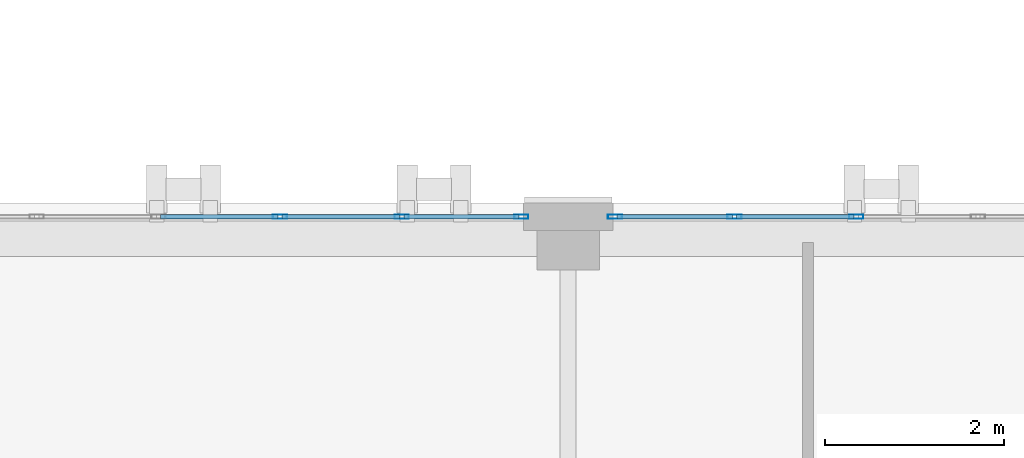
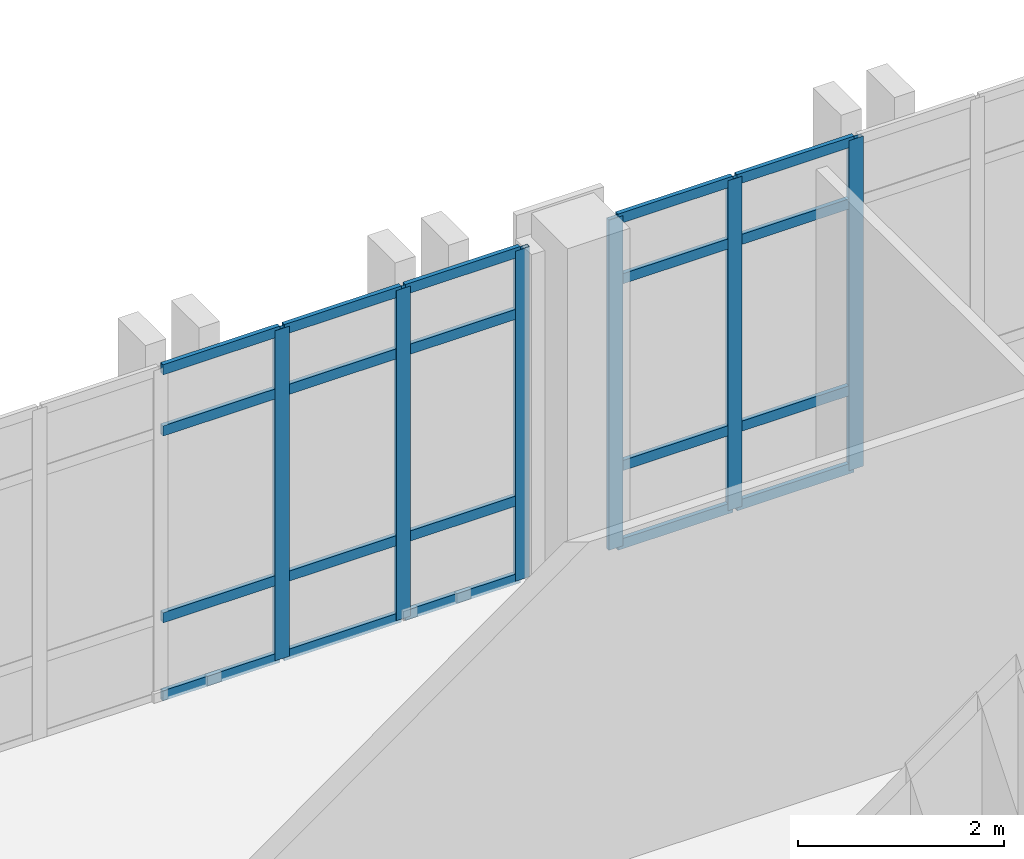
# One storey, part 124 of 193: 26 members, 2 elements without a shape of their own.
"""IFC4 building model written with IfcOpenShell, lengths in metres."""

from ifc_helpers import new_model, si_unit, direction, frame, origin, origin_2d, place, context, subcontext, project, spatial, hollow_rectangle, extrude, material, layer, layer_set, material_profile, profile_set, type_object, element, aggregate, save


model = new_model("IFC4")

# Units and contexts
model_context = context("Model", 3, precision=1e-05, world=origin(), true_north=direction((0.0, 1.0)))
body_context = subcontext(model_context, "Body", "Model", "MODEL_VIEW")
ifc_project = project(units=[si_unit("LENGTHUNIT", "METRE"), si_unit("AREAUNIT", "SQUARE_METRE"), si_unit("VOLUMEUNIT", "CUBIC_METRE"), si_unit("PLANEANGLEUNIT", "RADIAN"), si_unit("MASSUNIT", "GRAM", prefix="KILO")], contexts=[model_context])

# Site, building, storey
site_placement = place(None, origin())
site = spatial("IfcSite", under=ifc_project, at=site_placement, CompositionType="ELEMENT")
building_placement = place(site_placement, origin())
building = spatial("IfcBuilding", under=site, at=building_placement, Name="Qalavern Law Courts", CompositionType="ELEMENT")
storey_placement = place(building_placement, frame((0.0, 0.0, 10.199951171875)))
storey = spatial("IfcBuildingStorey", under=building, at=storey_placement, Name="L02", CompositionType="ELEMENT", Elevation=10.199951171875)

# Curtain wall, members
ifc_material_1 = material(Name="Anodised aluminium and insulated glazing", Category="aluminium")
ifc_layer = layer(ifc_material_1, 0.172119140625)
ifc_layer_set = layer_set([ifc_layer], Name="Anodised aluminium and insulated glazing")
curtain_wall_type = type_object("IfcCurtainWallType", Name="ENV-CW-COURT", PredefinedType="USERDEFINED", material=ifc_layer_set)
curtain_wall_1_placement = place(storey_placement, origin())
curtain_wall_1 = element("IfcCurtainWall", 1, at=curtain_wall_1_placement, inside=storey, type_object=curtain_wall_type, Name="V6 unitised curtain wall L02 north 3", ObjectType="UNITISED CURTAIN WALL", PredefinedType="USERDEFINED")
ifc_material_2 = material(Name="Anodised aluminium", Category="aluminium")
ifc_material_profile_1 = material_profile(ifc_material_2, hollow_rectangle(XDim=0.048095703125, YDim=0.159912109375, WallThickness=0.00390625, at=origin_2d()), Name="ALU MULLION 48x160")
ifc_profile_set_1 = profile_set([ifc_material_profile_1], Name="Anodised aluminium")
member_type_1 = type_object("IfcMemberType", Name="ENV-CWM-48x160", PredefinedType="MULLION", material=ifc_profile_set_1)
member_1_placement = place(storey_placement, frame((145.219970703125, 22.445068359375, 0.0), z_axis=(0.0, 0.0, 1.0), x_axis=(0.0, -1.0, 0.0)))
member_1 = element("IfcMember", 2, at=member_1_placement, type_object=member_type_1, Name="CW-03 mullion 4", PredefinedType="MULLION", context=body_context, shape_type="SweptSolid", body=[
    extrude(hollow_rectangle(XDim=0.048095703125, YDim=0.159912109375, WallThickness=0.00390625, at=origin_2d()), origin(), (0.0, 0.0, 1.0), 3.9150390625),
])
member_2_placement = place(storey_placement, frame((143.860107421875, 22.445068359375, 0.0), z_axis=(0.0, 0.0, 1.0), x_axis=(0.0, -1.0, 0.0)))
member_2 = element("IfcMember", 3, at=member_2_placement, type_object=member_type_1, Name="CW-03 mullion 5", PredefinedType="MULLION", context=body_context, shape_type="SweptSolid", body=[
    extrude(hollow_rectangle(XDim=0.048095703125, YDim=0.159912109375, WallThickness=0.00390625, at=origin_2d()), origin(), (0.0, 0.0, 1.0), 3.9150390625),
])
member_3_placement = place(storey_placement, frame((142.52392578125, 22.445068359375, 0.0), z_axis=(0.0, 0.0, 1.0), x_axis=(0.0, -1.0, 0.0)))
member_3 = element("IfcMember", 4, at=member_3_placement, type_object=member_type_1, Name="CW-03 mullion 6", PredefinedType="MULLION", context=body_context, shape_type="SweptSolid", body=[
    extrude(hollow_rectangle(XDim=0.048095703125, YDim=0.159912109375, WallThickness=0.00390625, at=origin_2d()), origin(), (0.0, 0.0, 1.0), 3.9150390625),
])

curtain_wall_2_placement = place(storey_placement, origin())
curtain_wall_2 = element("IfcCurtainWall", 5, at=curtain_wall_2_placement, inside=storey, type_object=curtain_wall_type, Name="V6 unitised curtain wall L02 north 4", ObjectType="UNITISED CURTAIN WALL", PredefinedType="USERDEFINED")
member_4_placement = place(storey_placement, frame((141.47607421875, 22.445068359375, 0.0), z_axis=(0.0, 0.0, 1.0), x_axis=(0.0, -1.0, 0.0)))
member_4 = element("IfcMember", 6, at=member_4_placement, type_object=member_type_1, Name="CW-03 mullion 1", PredefinedType="MULLION", context=body_context, shape_type="SweptSolid", body=[
    extrude(hollow_rectangle(XDim=0.048095703125, YDim=0.159912109375, WallThickness=0.00390625, at=origin_2d()), origin(), (0.0, 0.0, 1.0), 3.9150390625),
])
member_5_placement = place(storey_placement, frame((140.139892578125, 22.445068359375, 0.0), z_axis=(0.0, 0.0, 1.0), x_axis=(0.0, -1.0, 0.0)))
member_5 = element("IfcMember", 7, at=member_5_placement, type_object=member_type_1, Name="CW-03 mullion 2", PredefinedType="MULLION", context=body_context, shape_type="SweptSolid", body=[
    extrude(hollow_rectangle(XDim=0.048095703125, YDim=0.159912109375, WallThickness=0.00390625, at=origin_2d()), origin(), (0.0, 0.0, 1.0), 3.9150390625),
])
member_6_placement = place(storey_placement, frame((138.780029296875, 22.445068359375, 0.0), z_axis=(0.0, 0.0, 1.0), x_axis=(0.0, -1.0, 0.0)))
member_6 = element("IfcMember", 8, at=member_6_placement, type_object=member_type_1, Name="CW-03 mullion 3", PredefinedType="MULLION", context=body_context, shape_type="SweptSolid", body=[
    extrude(hollow_rectangle(XDim=0.048095703125, YDim=0.159912109375, WallThickness=0.00390625, at=origin_2d()), origin(), (0.0, 0.0, 1.0), 3.9150390625),
])

# Member
ifc_material_profile_2 = material_profile(ifc_material_2, hollow_rectangle(XDim=0.048095703125, YDim=0.1201171875, WallThickness=0.00390625, at=origin_2d()), Name="ALU TRANSOM 48x120")
ifc_profile_set_2 = profile_set([ifc_material_profile_2], Name="Anodised aluminium")
member_type_2 = type_object("IfcMemberType", Name="ENV-CWT-48x120", PredefinedType="USERDEFINED", material=ifc_profile_set_2)
member_7_placement = place(storey_placement, frame((145.196044921875, 22.445068359375, 0.024169921875), z_axis=(-1.0, 0.0, 0.0), x_axis=(0.0, -1.0, 0.0)))
member_7 = element("IfcMember", 9, at=member_7_placement, type_object=member_type_2, Name="CW-03 transom 4.1", ObjectType="TRANSOM", PredefinedType="USERDEFINED", context=body_context, shape_type="SweptSolid", body=[
    extrude(hollow_rectangle(XDim=0.048095703125, YDim=0.1201171875, WallThickness=0.00390625, at=origin_2d()), origin(), (0.0, 0.0, 1.0), 1.31201171875),
])

member_8_placement = place(storey_placement, frame((145.196044921875, 22.445068359375, 0.949951171875), z_axis=(-1.0, 0.0, 0.0), x_axis=(0.0, -1.0, 0.0)))
member_8 = element("IfcMember", 10, at=member_8_placement, type_object=member_type_2, Name="CW-03 transom 4.2", ObjectType="TRANSOM", PredefinedType="USERDEFINED", context=body_context, shape_type="SweptSolid", body=[
    extrude(hollow_rectangle(XDim=0.048095703125, YDim=0.1201171875, WallThickness=0.00390625, at=origin_2d()), origin(), (0.0, 0.0, 1.0), 1.31201171875),
])

member_9_placement = place(storey_placement, frame((145.196044921875, 22.445068359375, 3.1650390625), z_axis=(-1.0, 0.0, 0.0), x_axis=(0.0, -1.0, 0.0)))
member_9 = element("IfcMember", 11, at=member_9_placement, type_object=member_type_2, Name="CW-03 transom 4.3", ObjectType="TRANSOM", PredefinedType="USERDEFINED", context=body_context, shape_type="SweptSolid", body=[
    extrude(hollow_rectangle(XDim=0.048095703125, YDim=0.1201171875, WallThickness=0.00390625, at=origin_2d()), origin(), (0.0, 0.0, 1.0), 1.31201171875),
])

member_10_placement = place(storey_placement, frame((145.196044921875, 22.445068359375, 3.89111328125), z_axis=(-1.0, 0.0, 0.0), x_axis=(0.0, -1.0, 0.0)))
member_10 = element("IfcMember", 12, at=member_10_placement, type_object=member_type_2, Name="CW-03 transom 4.4", ObjectType="TRANSOM", PredefinedType="USERDEFINED", context=body_context, shape_type="SweptSolid", body=[
    extrude(hollow_rectangle(XDim=0.048095703125, YDim=0.1201171875, WallThickness=0.00390625, at=origin_2d()), origin(), (0.0, 0.0, 1.0), 1.31201171875),
])

member_11_placement = place(storey_placement, frame((143.8359375, 22.445068359375, 0.024169921875), z_axis=(-1.0, 0.0, 0.0), x_axis=(0.0, -1.0, 0.0)))
member_11 = element("IfcMember", 13, at=member_11_placement, type_object=member_type_2, Name="CW-03 transom 5.1", ObjectType="TRANSOM", PredefinedType="USERDEFINED", context=body_context, shape_type="SweptSolid", body=[
    extrude(hollow_rectangle(XDim=0.048095703125, YDim=0.1201171875, WallThickness=0.00390625, at=origin_2d()), origin(), (0.0, 0.0, 1.0), 1.287841796875),
])

member_12_placement = place(storey_placement, frame((143.8359375, 22.445068359375, 0.949951171875), z_axis=(-1.0, 0.0, 0.0), x_axis=(0.0, -1.0, 0.0)))
member_12 = element("IfcMember", 14, at=member_12_placement, type_object=member_type_2, Name="CW-03 transom 5.2", ObjectType="TRANSOM", PredefinedType="USERDEFINED", context=body_context, shape_type="SweptSolid", body=[
    extrude(hollow_rectangle(XDim=0.048095703125, YDim=0.1201171875, WallThickness=0.00390625, at=origin_2d()), origin(), (0.0, 0.0, 1.0), 1.287841796875),
])

member_13_placement = place(storey_placement, frame((143.8359375, 22.445068359375, 3.1650390625), z_axis=(-1.0, 0.0, 0.0), x_axis=(0.0, -1.0, 0.0)))
member_13 = element("IfcMember", 15, at=member_13_placement, type_object=member_type_2, Name="CW-03 transom 5.3", ObjectType="TRANSOM", PredefinedType="USERDEFINED", context=body_context, shape_type="SweptSolid", body=[
    extrude(hollow_rectangle(XDim=0.048095703125, YDim=0.1201171875, WallThickness=0.00390625, at=origin_2d()), origin(), (0.0, 0.0, 1.0), 1.287841796875),
])

member_14_placement = place(storey_placement, frame((143.8359375, 22.445068359375, 3.89111328125), z_axis=(-1.0, 0.0, 0.0), x_axis=(0.0, -1.0, 0.0)))
member_14 = element("IfcMember", 16, at=member_14_placement, type_object=member_type_2, Name="CW-03 transom 5.4", ObjectType="TRANSOM", PredefinedType="USERDEFINED", context=body_context, shape_type="SweptSolid", body=[
    extrude(hollow_rectangle(XDim=0.048095703125, YDim=0.1201171875, WallThickness=0.00390625, at=origin_2d()), origin(), (0.0, 0.0, 1.0), 1.287841796875),
])

aggregate(curtain_wall_1, [member_1, member_2, member_3, member_7, member_8, member_9, member_10, member_11, member_12, member_13, member_14])

member_15_placement = place(storey_placement, frame((141.451904296875, 22.445068359375, 0.024169921875), z_axis=(-1.0, 0.0, 0.0), x_axis=(0.0, -1.0, 0.0)))
member_15 = element("IfcMember", 17, at=member_15_placement, type_object=member_type_2, Name="CW-03 transom 1.1", ObjectType="TRANSOM", PredefinedType="USERDEFINED", context=body_context, shape_type="SweptSolid", body=[
    extrude(hollow_rectangle(XDim=0.048095703125, YDim=0.1201171875, WallThickness=0.00390625, at=origin_2d()), origin(), (0.0, 0.0, 1.0), 1.287841796875),
])

member_16_placement = place(storey_placement, frame((141.451904296875, 22.445068359375, 0.949951171875), z_axis=(-1.0, 0.0, 0.0), x_axis=(0.0, -1.0, 0.0)))
member_16 = element("IfcMember", 18, at=member_16_placement, type_object=member_type_2, Name="CW-03 transom 1.2", ObjectType="TRANSOM", PredefinedType="USERDEFINED", context=body_context, shape_type="SweptSolid", body=[
    extrude(hollow_rectangle(XDim=0.048095703125, YDim=0.1201171875, WallThickness=0.00390625, at=origin_2d()), origin(), (0.0, 0.0, 1.0), 1.287841796875),
])

member_17_placement = place(storey_placement, frame((141.451904296875, 22.445068359375, 3.1650390625), z_axis=(-1.0, 0.0, 0.0), x_axis=(0.0, -1.0, 0.0)))
member_17 = element("IfcMember", 19, at=member_17_placement, type_object=member_type_2, Name="CW-03 transom 1.3", ObjectType="TRANSOM", PredefinedType="USERDEFINED", context=body_context, shape_type="SweptSolid", body=[
    extrude(hollow_rectangle(XDim=0.048095703125, YDim=0.1201171875, WallThickness=0.00390625, at=origin_2d()), origin(), (0.0, 0.0, 1.0), 1.287841796875),
])

member_18_placement = place(storey_placement, frame((141.451904296875, 22.445068359375, 3.89111328125), z_axis=(-1.0, 0.0, 0.0), x_axis=(0.0, -1.0, 0.0)))
member_18 = element("IfcMember", 20, at=member_18_placement, type_object=member_type_2, Name="CW-03 transom 1.4", ObjectType="TRANSOM", PredefinedType="USERDEFINED", context=body_context, shape_type="SweptSolid", body=[
    extrude(hollow_rectangle(XDim=0.048095703125, YDim=0.1201171875, WallThickness=0.00390625, at=origin_2d()), origin(), (0.0, 0.0, 1.0), 1.287841796875),
])

member_19_placement = place(storey_placement, frame((140.115966796875, 22.445068359375, 0.024169921875), z_axis=(-1.0, 0.0, 0.0), x_axis=(0.0, -1.0, 0.0)))
member_19 = element("IfcMember", 21, at=member_19_placement, type_object=member_type_2, Name="CW-03 transom 2.1", ObjectType="TRANSOM", PredefinedType="USERDEFINED", context=body_context, shape_type="SweptSolid", body=[
    extrude(hollow_rectangle(XDim=0.048095703125, YDim=0.1201171875, WallThickness=0.00390625, at=origin_2d()), origin(), (0.0, 0.0, 1.0), 1.31201171875),
])

member_20_placement = place(storey_placement, frame((140.115966796875, 22.445068359375, 0.949951171875), z_axis=(-1.0, 0.0, 0.0), x_axis=(0.0, -1.0, 0.0)))
member_20 = element("IfcMember", 22, at=member_20_placement, type_object=member_type_2, Name="CW-03 transom 2.2", ObjectType="TRANSOM", PredefinedType="USERDEFINED", context=body_context, shape_type="SweptSolid", body=[
    extrude(hollow_rectangle(XDim=0.048095703125, YDim=0.1201171875, WallThickness=0.00390625, at=origin_2d()), origin(), (0.0, 0.0, 1.0), 1.31201171875),
])

member_21_placement = place(storey_placement, frame((140.115966796875, 22.445068359375, 3.1650390625), z_axis=(-1.0, 0.0, 0.0), x_axis=(0.0, -1.0, 0.0)))
member_21 = element("IfcMember", 23, at=member_21_placement, type_object=member_type_2, Name="CW-03 transom 2.3", ObjectType="TRANSOM", PredefinedType="USERDEFINED", context=body_context, shape_type="SweptSolid", body=[
    extrude(hollow_rectangle(XDim=0.048095703125, YDim=0.1201171875, WallThickness=0.00390625, at=origin_2d()), origin(), (0.0, 0.0, 1.0), 1.31201171875),
])

member_22_placement = place(storey_placement, frame((140.115966796875, 22.445068359375, 3.89111328125), z_axis=(-1.0, 0.0, 0.0), x_axis=(0.0, -1.0, 0.0)))
member_22 = element("IfcMember", 24, at=member_22_placement, type_object=member_type_2, Name="CW-03 transom 2.4", ObjectType="TRANSOM", PredefinedType="USERDEFINED", context=body_context, shape_type="SweptSolid", body=[
    extrude(hollow_rectangle(XDim=0.048095703125, YDim=0.1201171875, WallThickness=0.00390625, at=origin_2d()), origin(), (0.0, 0.0, 1.0), 1.31201171875),
])

member_23_placement = place(storey_placement, frame((138.756103515625, 22.445068359375, 0.024169921875), z_axis=(-1.0, 0.0, 0.0), x_axis=(0.0, -1.0, 0.0)))
member_23 = element("IfcMember", 25, at=member_23_placement, type_object=member_type_2, Name="CW-03 transom 3.1", ObjectType="TRANSOM", PredefinedType="USERDEFINED", context=body_context, shape_type="SweptSolid", body=[
    extrude(hollow_rectangle(XDim=0.048095703125, YDim=0.1201171875, WallThickness=0.00390625, at=origin_2d()), origin(), (0.0, 0.0, 1.0), 1.31201171875),
])

member_24_placement = place(storey_placement, frame((138.756103515625, 22.445068359375, 0.949951171875), z_axis=(-1.0, 0.0, 0.0), x_axis=(0.0, -1.0, 0.0)))
member_24 = element("IfcMember", 26, at=member_24_placement, type_object=member_type_2, Name="CW-03 transom 3.2", ObjectType="TRANSOM", PredefinedType="USERDEFINED", context=body_context, shape_type="SweptSolid", body=[
    extrude(hollow_rectangle(XDim=0.048095703125, YDim=0.1201171875, WallThickness=0.00390625, at=origin_2d()), origin(), (0.0, 0.0, 1.0), 1.31201171875),
])

member_25_placement = place(storey_placement, frame((138.756103515625, 22.445068359375, 3.1650390625), z_axis=(-1.0, 0.0, 0.0), x_axis=(0.0, -1.0, 0.0)))
member_25 = element("IfcMember", 27, at=member_25_placement, type_object=member_type_2, Name="CW-03 transom 3.3", ObjectType="TRANSOM", PredefinedType="USERDEFINED", context=body_context, shape_type="SweptSolid", body=[
    extrude(hollow_rectangle(XDim=0.048095703125, YDim=0.1201171875, WallThickness=0.00390625, at=origin_2d()), origin(), (0.0, 0.0, 1.0), 1.31201171875),
])

member_26_placement = place(storey_placement, frame((138.756103515625, 22.445068359375, 3.89111328125), z_axis=(-1.0, 0.0, 0.0), x_axis=(0.0, -1.0, 0.0)))
member_26 = element("IfcMember", 28, at=member_26_placement, type_object=member_type_2, Name="CW-03 transom 3.4", ObjectType="TRANSOM", PredefinedType="USERDEFINED", context=body_context, shape_type="SweptSolid", body=[
    extrude(hollow_rectangle(XDim=0.048095703125, YDim=0.1201171875, WallThickness=0.00390625, at=origin_2d()), origin(), (0.0, 0.0, 1.0), 1.31201171875),
])

aggregate(curtain_wall_2, [member_4, member_5, member_6, member_15, member_16, member_17, member_18, member_19, member_20, member_21, member_22, member_23, member_24, member_25, member_26])

save(model, "model.ifc")
